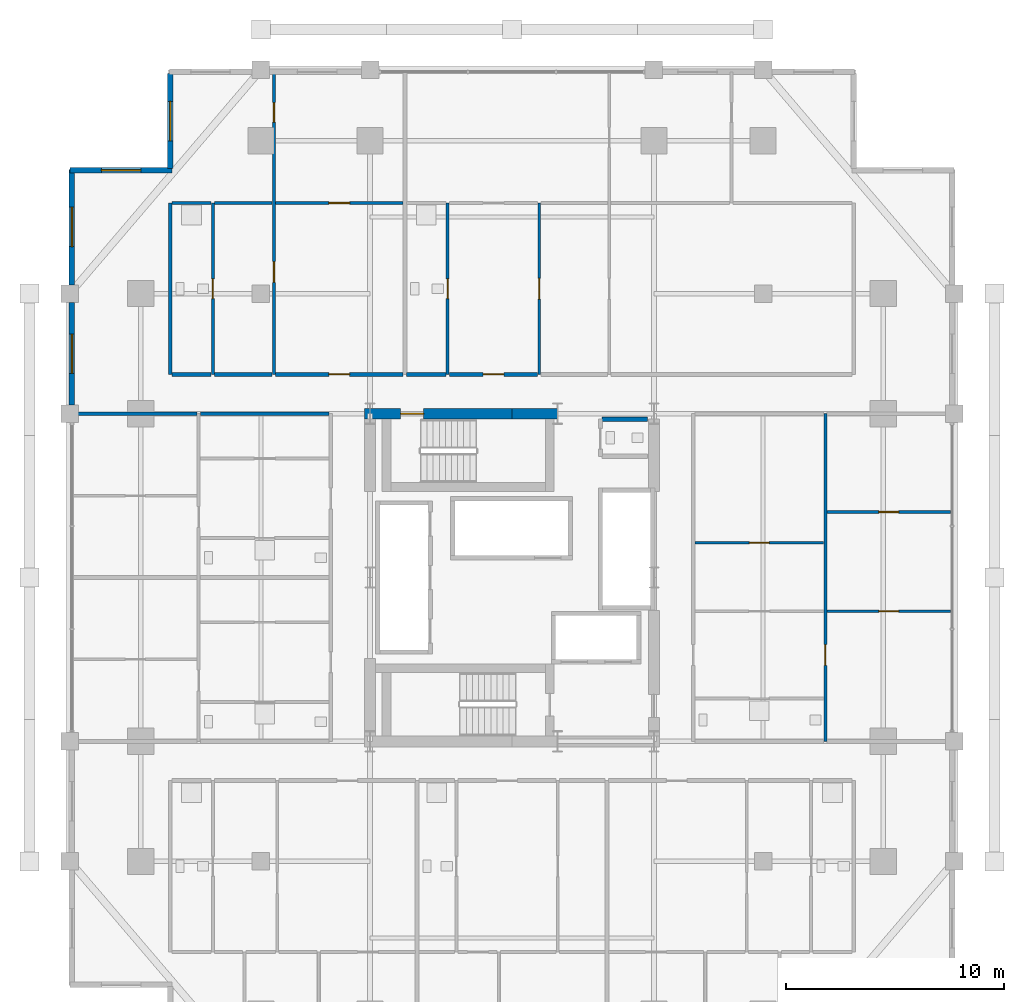
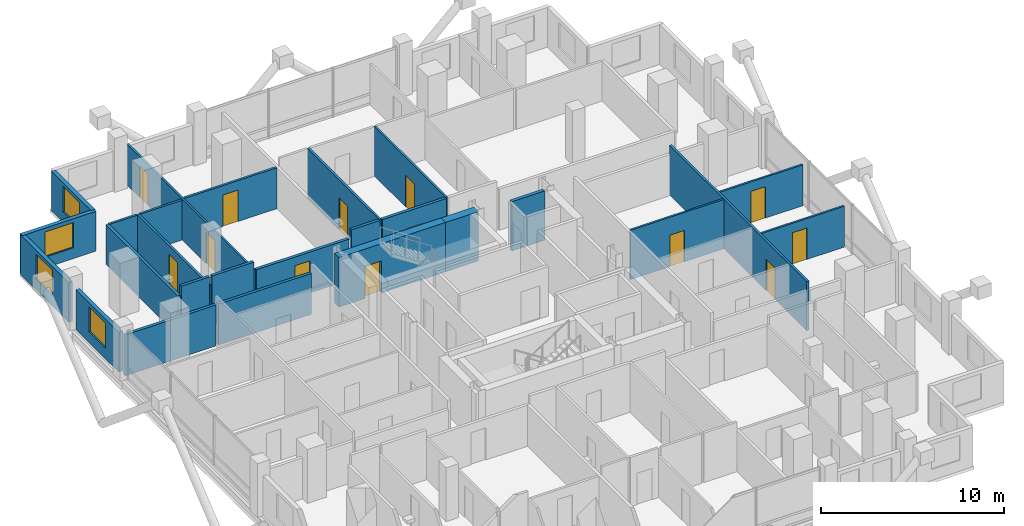
# One storey, part 20 of 23: 26 walls, 13 doors, 4 windows, 17 openings.
"""IFC4 building model written with IfcOpenShell, lengths in metres."""

import ifcopenshell
import ifcopenshell.guid

model = None  # the IFC model being written
_history = None  # IfcOwnerHistory: only IFC2X3 demands one
_inside = {}  # id of a spatial element -> (the spatial element, [elements in it])
_under = {}  # id of a project, library or spatial element -> (it, [spatial elements below it])
_declared = {}  # id of a project -> (the project, [libraries it declares])
_typed = {}  # id of a type object -> (the type object, [elements of that type])
_made_of = {}  # id of a material, layer set ... -> (it, [elements and type objects made of it])


def new_model(schema):
    """Start an empty IFC model of exactly this schema.

    Asked for "IFC4X3", IfcOpenShell would pick the latest addendum, in which some entities
    have other attributes; the version numbers below select the first issue.
    IFC2X3 requires an IfcOwnerHistory on every rooted entity: one is made here for all.
    """
    global model, _history
    if schema == "IFC4X3":
        model = ifcopenshell.file(schema_version=(4, 3, 0, 0))
    else:
        model = ifcopenshell.file(schema=schema)
    _inside.clear()
    _under.clear()
    _declared.clear()
    _typed.clear()
    _made_of.clear()
    _history = None
    if model.schema == "IFC2X3":
        org = make("IfcOrganization", Name="unknown")
        user = make(
            "IfcPersonAndOrganization",
            ThePerson=make("IfcPerson", FamilyName="unknown"),
            TheOrganization=org,
        )
        app = make(
            "IfcApplication",
            ApplicationDeveloper=org,
            Version="unknown",
            ApplicationFullName="unknown",
            ApplicationIdentifier="unknown",
        )
        _history = make(
            "IfcOwnerHistory",
            OwningUser=user,
            OwningApplication=app,
            ChangeAction="ADDED",
            CreationDate=0,
        )
    return model


def make(cls, **values):
    """One entity of the class cls with the attributes given. An attribute that is None is left unset."""
    return model.create_entity(
        cls, **{name: value for name, value in values.items() if value is not None}
    )


def rooted(cls, **values):
    """An entity with a GlobalId (a new one), such as an element, a storey or a relation."""
    return make(cls, GlobalId=ifcopenshell.guid.new(), OwnerHistory=_history, **values)


def si_unit(unit_type, name, prefix=None):
    """IfcSIUnit, for example si_unit("LENGTHUNIT", "METRE", prefix="MILLI")."""
    return make("IfcSIUnit", UnitType=unit_type, Prefix=prefix, Name=name)


def assignment(units):
    """IfcUnitAssignment: the units of a project."""
    return None if units is None else make("IfcUnitAssignment", Units=units)


def point(xyz):
    """IfcCartesianPoint."""
    return None if xyz is None else make("IfcCartesianPoint", Coordinates=xyz)


def direction(xyz):
    """IfcDirection."""
    return None if xyz is None else make("IfcDirection", DirectionRatios=xyz)


def frame(location, z_axis=None, x_axis=None):
    """IfcAxis2Placement3D, a coordinate frame: its origin and axes. An axis left out is left unset."""
    return make(
        "IfcAxis2Placement3D",
        Location=point(location),
        Axis=direction(z_axis),
        RefDirection=direction(x_axis),
    )


def frame_2d(location, x_axis=None):
    """IfcAxis2Placement2D, a coordinate frame in the plane: its origin and x axis."""
    return make(
        "IfcAxis2Placement2D", Location=point(location), RefDirection=direction(x_axis)
    )


def origin():
    """The frame at (0, 0, 0) with its axes left unset."""
    return frame((0.0, 0.0, 0.0))


def place(relative_to, where):
    """IfcLocalPlacement: puts the frame where relative to a parent placement (None: the world)."""
    return make(
        "IfcLocalPlacement", PlacementRelTo=relative_to, RelativePlacement=where
    )


def context(
    kind, dimensions, precision=None, world=None, true_north=None, identifier=None
):
    """IfcGeometricRepresentationContext, for example the 3D "Model" context."""
    return make(
        "IfcGeometricRepresentationContext",
        ContextIdentifier=identifier,
        ContextType=kind,
        CoordinateSpaceDimension=dimensions,
        Precision=precision,
        WorldCoordinateSystem=world,
        TrueNorth=true_north,
    )


def subcontext(parent, identifier, kind, view, scale=None):
    """IfcGeometricRepresentationSubContext, for example "Body" below "Model"."""
    return make(
        "IfcGeometricRepresentationSubContext",
        ContextIdentifier=identifier,
        ContextType=kind,
        ParentContext=parent,
        TargetScale=scale,
        TargetView=view,
    )


def project(units=None, contexts=None):
    """IfcProject with its units and contexts."""
    return rooted(
        "IfcProject",
        Name="project",
        RepresentationContexts=contexts,
        UnitsInContext=assignment(units),
    )


def spatial(cls, under=None, at=None, **own):
    """A site, building, storey or space (cls), placed at a placement, below another one or the project."""
    s = rooted(cls, ObjectPlacement=at, **own)
    if under is not None:
        _under.setdefault(under.id(), (under, []))[1].append(s)
    return s


def profile(cls, at=None, kind="AREA", **sizes):
    """A parametric profile (cls). Its sizes go by their IFC names, for example OverallWidth=200.0."""
    return make(cls, ProfileType=kind, Position=at, **sizes)


def rectangle(**sizes):
    """IfcRectangleProfileDef."""
    return profile("IfcRectangleProfileDef", **sizes)


def extrude(swept, where, along, depth):
    """IfcExtrudedAreaSolid: the profile swept, set in the frame where, extruded along a direction by depth."""
    return make(
        "IfcExtrudedAreaSolid",
        SweptArea=swept,
        Position=where,
        ExtrudedDirection=direction(along),
        Depth=depth,
    )


def shape(context_of_items, identifier, shape_type, items):
    """IfcShapeRepresentation: the items that make up one representation, for example the "Body"."""
    return make(
        "IfcShapeRepresentation",
        ContextOfItems=context_of_items,
        RepresentationIdentifier=identifier,
        RepresentationType=shape_type,
        Items=items,
    )


def material(Name=None, Category=None):
    """IfcMaterial."""
    return make("IfcMaterial", Name=Name, Category=Category)


def layer(
    of_material, thickness, ventilated=None, Name=None, Category=None, Priority=None
):
    """IfcMaterialLayer: one layer of a wall or slab, of a material (None: an air gap)."""
    return make(
        "IfcMaterialLayer",
        Material=of_material,
        LayerThickness=thickness,
        IsVentilated=ventilated,
        Name=Name,
        Category=Category,
        Priority=Priority,
    )


def layer_set(layers, Name=None):
    """IfcMaterialLayerSet."""
    return make("IfcMaterialLayerSet", MaterialLayers=layers, LayerSetName=Name)


def made_of(thing, what):
    """Note that an element or type object is made of a material, layer set ...; save() writes the relation."""
    if what is not None:
        _made_of.setdefault(what.id(), (what, []))[1].append(thing)
    return thing


def type_object(cls, material=None, **own):
    """A type object (cls), such as IfcWallType, which elements share."""
    return made_of(rooted(cls, **own), material)


def element(
    cls,
    number,
    at=None,
    inside=None,
    cuts=None,
    type_object=None,
    material=None,
    context=None,
    identifier="Body",
    shape_type=None,
    held_by="IfcProductDefinitionShape",
    body=None,
    shapes=None,
    **own,
):
    """One element of the class cls, such as IfcWall. Its Tag is "e" and its number.

    at: its placement. inside: the storey or other place that contains it. cuts: it is an
    opening in that element (IfcRelVoidsElement). A single representation is given by context,
    identifier, shape_type and body (its items); several are given by shapes. held_by: the class
    of the entity that holds the representations. save() writes the other relations.
    """
    e = rooted(cls, Tag="e%d" % number, ObjectPlacement=at, **own)
    if body is not None:
        shapes = [shape(context, identifier, shape_type, body)]
    if shapes is not None:
        e.Representation = make(held_by, Representations=shapes)
    if inside is not None:
        _inside.setdefault(inside.id(), (inside, []))[1].append(e)
    if cuts is not None:
        rooted(
            "IfcRelVoidsElement", RelatingBuildingElement=cuts, RelatedOpeningElement=e
        )
    if type_object is not None:
        _typed.setdefault(type_object.id(), (type_object, []))[1].append(e)
    return made_of(e, material)


def fill(opening, filler):
    """IfcRelFillsElement: the door or window that sits in an opening."""
    return rooted(
        "IfcRelFillsElement",
        RelatingOpeningElement=opening,
        RelatedBuildingElement=filler,
    )


def aggregate(whole, parts):
    """IfcRelAggregates: a whole, such as a stair, and the parts it consists of."""
    return rooted("IfcRelAggregates", RelatingObject=whole, RelatedObjects=parts)


def save(model, path):
    """Write the relations noted so far, then the file.

    IfcRelAggregates (storeys below a building ...), IfcRelContainedInSpatialStructure (elements
    in a storey), IfcRelDefinesByType, IfcRelAssociatesMaterial and IfcRelDeclares: one each for
    every whole, place, type object, material and project.
    """
    for whole, parts in _under.values():
        aggregate(whole, parts)
    for where, things in _inside.values():
        rooted(
            "IfcRelContainedInSpatialStructure",
            RelatedElements=things,
            RelatingStructure=where,
        )
    for kind, things in _typed.values():
        rooted("IfcRelDefinesByType", RelatedObjects=things, RelatingType=kind)
    for what, things in _made_of.values():
        rooted("IfcRelAssociatesMaterial", RelatedObjects=things, RelatingMaterial=what)
    for by, libraries in _declared.values():
        rooted("IfcRelDeclares", RelatingContext=by, RelatedDefinitions=libraries)
    model.write(path)


model = new_model("IFC4")

# Units and contexts
model_context = context("Model", 3, precision=1e-05, world=origin(), true_north=direction((0.0, 1.0)))
body_context = subcontext(model_context, "Body", "Model", "MODEL_VIEW")
ifc_project = project(units=[si_unit("LENGTHUNIT", "METRE"), si_unit("AREAUNIT", "SQUARE_METRE"), si_unit("VOLUMEUNIT", "CUBIC_METRE"), si_unit("PLANEANGLEUNIT", "RADIAN"), si_unit("MASSUNIT", "GRAM", prefix="KILO")], contexts=[model_context])

# Site, building, storey
site_placement = place(None, origin())
site = spatial("IfcSite", under=ifc_project, at=site_placement, CompositionType="ELEMENT")
building_placement = place(site_placement, origin())
building = spatial("IfcBuilding", under=site, at=building_placement, Name="Barlavira Tower and Art Museum", CompositionType="ELEMENT")
storey_placement = place(building_placement, frame((0.0, 0.0, 117.0)))
storey = spatial("IfcBuildingStorey", under=building, at=storey_placement, Name="L29", CompositionType="ELEMENT", Elevation=117.0)

# Wall, openings, doors
ifc_material_1 = material(Name="Gypsum acoustic stud partition", Category="gypsum")
ifc_layer_1 = layer(ifc_material_1, 0.1201171875, Name="Gypsum acoustic stud partition")
ifc_layer_set_1 = layer_set([ifc_layer_1], Name="Gypsum acoustic stud partition")
wall_type_1 = type_object("IfcWallType", Name="Apartment Internal Acoustic Partition 120", PredefinedType="PARTITIONING", material=ifc_layer_set_1)
wall_1_placement = place(storey_placement, frame((-10.89990234375, 9.300048828125, 0.0), z_axis=(0.0, 0.0, 1.0), x_axis=(0.0, 1.0, 0.0)))
wall_1 = element("IfcWall", 1, at=wall_1_placement, inside=storey, type_object=wall_type_1, Name="L29 Partition Wall 7", PredefinedType="PARTITIONING", context=body_context, shape_type="SweptSolid", body=[
    extrude(rectangle(XDim=13.849853515625, YDim=0.1201171875, at=frame_2d((6.9248046875, 0.0))), origin(), (0.0, 0.0, 1.0), 2.736083984375),
])
opening_1_placement = place(wall_1_placement, frame((4.218505859375, 0.0, 0.0)))
opening_1 = element("IfcOpeningElement", 2, at=opening_1_placement, cuts=wall_1, Name="Opening D-02", PredefinedType="OPENING", context=body_context, shape_type="SweptSolid", body=[
    extrude(rectangle(XDim=0.949951171875, YDim=2.10009765625, at=frame_2d((0.47509765625, 1.050048828125))), frame((0.0, 0.070068359375, 0.0), z_axis=(0.0, -1.0, 0.0), x_axis=(1.0, 0.0, 0.0)), (0.0, 0.0, 1.0), 0.14013671875),
])
opening_2_placement = place(wall_1_placement, frame((11.551025390625, 0.0, 0.0)))
opening_2 = element("IfcOpeningElement", 3, at=opening_2_placement, cuts=wall_1, Name="Opening D-01", PredefinedType="OPENING", context=body_context, shape_type="SweptSolid", body=[
    extrude(rectangle(XDim=0.89990234375, YDim=2.10009765625, at=frame_2d((0.449951171875, 1.050048828125))), frame((0.0, 0.070068359375, 0.0), z_axis=(0.0, -1.0, 0.0), x_axis=(1.0, 0.0, 0.0)), (0.0, 0.0, 1.0), 0.14013671875),
])
ifc_material_2 = material(Name="Engineered coastal hardwood", Category="wood")
door_type_1 = type_object("IfcDoorType", Name="Internal Bedroom Timber Flush Door 900x2100", OperationType="NOTDEFINED", PredefinedType="DOOR", material=ifc_material_2)
door_1_placement = place(opening_2_placement, origin())
door_1 = element("IfcDoor", 4, at=door_1_placement, inside=storey, type_object=door_type_1, Name="Apartment N1 Bedroom 1 Door", OperationType="SINGLE_SWING_RIGHT", OverallHeight=2.10009765625, OverallWidth=0.89990234375, PredefinedType="DOOR", context=body_context, shape_type="SweptSolid", body=[
    extrude(rectangle(XDim=0.89990234375, YDim=2.10009765625, at=frame_2d((0.449951171875, 1.050048828125))), frame((0.0, 0.02490234375, 0.0), z_axis=(0.0, -1.0, 0.0), x_axis=(1.0, 0.0, 0.0)), (0.0, 0.0, 1.0), 0.050048828125),
])
fill(opening_2, door_1)
door_type_2 = type_object("IfcDoorType", Name="Living and Salon Glazed-Leaf Door 950x2100", OperationType="NOTDEFINED", PredefinedType="DOOR", material=ifc_material_2)
door_2_placement = place(opening_1_placement, origin())
door_2 = element("IfcDoor", 5, at=door_2_placement, inside=storey, type_object=door_type_2, Name="Apartment N1 Kitchen Door", OperationType="SINGLE_SWING_LEFT", OverallHeight=2.10009765625, OverallWidth=0.949951171875, PredefinedType="DOOR", context=body_context, shape_type="SweptSolid", body=[
    extrude(rectangle(XDim=0.949951171875, YDim=2.10009765625, at=frame_2d((0.47509765625, 1.050048828125))), frame((0.0, 0.02490234375, 0.0), z_axis=(0.0, -1.0, 0.0), x_axis=(1.0, 0.0, 0.0)), (0.0, 0.0, 1.0), 0.050048828125),
])
fill(opening_1, door_2)

# Wall, opening, door
wall_2_placement = place(storey_placement, frame((1.25, 9.300048828125, 0.0), z_axis=(0.0, 0.0, 1.0), x_axis=(0.0, 1.0, 0.0)))
wall_2 = element("IfcWall", 6, at=wall_2_placement, inside=storey, type_object=wall_type_1, Name="L29 Partition Wall 16", PredefinedType="PARTITIONING", context=body_context, shape_type="SweptSolid", body=[
    extrude(rectangle(XDim=7.849853515625, YDim=0.1201171875, at=frame_2d((3.9248046875, 0.0))), origin(), (0.0, 0.0, 1.0), 3.300048828125),
])
opening_3_placement = place(wall_2_placement, frame((3.445068359375, 0.0, 0.0)))
opening_3 = element("IfcOpeningElement", 7, at=opening_3_placement, cuts=wall_2, Name="Opening D-02", PredefinedType="OPENING", context=body_context, shape_type="SweptSolid", body=[
    extrude(rectangle(XDim=0.949951171875, YDim=2.10009765625, at=frame_2d((0.47509765625, 1.050048828125))), frame((0.0, 0.070068359375, 0.0), z_axis=(0.0, -1.0, 0.0), x_axis=(1.0, 0.0, 0.0)), (0.0, 0.0, 1.0), 0.14013671875),
])
door_3_placement = place(opening_3_placement, origin())
door_3 = element("IfcDoor", 8, at=door_3_placement, inside=storey, type_object=door_type_2, Name="Apartment N2 Kitchen Door", OperationType="SINGLE_SWING_LEFT", OverallHeight=2.10009765625, OverallWidth=0.949951171875, PredefinedType="DOOR", context=body_context, shape_type="SweptSolid", body=[
    extrude(rectangle(XDim=0.949951171875, YDim=2.10009765625, at=frame_2d((0.47509765625, 1.050048828125))), frame((0.0, 0.02490234375, 0.0), z_axis=(0.0, -1.0, 0.0), x_axis=(1.0, 0.0, 0.0)), (0.0, 0.0, 1.0), 0.050048828125),
])
fill(opening_3, door_3)

wall_3_placement = place(storey_placement, frame((14.429931640625, -1.550048828125, 0.0), z_axis=(0.0, 0.0, 1.0), x_axis=(1.0, 0.0, 0.0)))
wall_3 = element("IfcWall", 9, at=wall_3_placement, inside=storey, type_object=wall_type_1, Name="L29 Partition Wall 62", PredefinedType="PARTITIONING", context=body_context, shape_type="SweptSolid", body=[
    extrude(rectangle(XDim=5.64013671875, YDim=0.1201171875, at=frame_2d((2.820068359375, 0.0))), origin(), (0.0, 0.0, 1.0), 2.736083984375),
])
opening_4_placement = place(wall_3_placement, frame((2.3701171875, 0.0, 0.0)))
opening_4 = element("IfcOpeningElement", 10, at=opening_4_placement, cuts=wall_3, Name="Opening D-01", PredefinedType="OPENING", context=body_context, shape_type="SweptSolid", body=[
    extrude(rectangle(XDim=0.89990234375, YDim=2.10009765625, at=frame_2d((0.449951171875, 1.050048828125))), frame((0.0, 0.070068359375, 0.0), z_axis=(0.0, -1.0, 0.0), x_axis=(1.0, 0.0, 0.0)), (0.0, 0.0, 1.0), 0.14013671875),
])
door_4_placement = place(opening_4_placement, origin())
door_4 = element("IfcDoor", 11, at=door_4_placement, inside=storey, type_object=door_type_1, Name="Apartment E1 Bedroom 1 Door", OperationType="SINGLE_SWING_LEFT", OverallHeight=2.10009765625, OverallWidth=0.89990234375, PredefinedType="DOOR", context=body_context, shape_type="SweptSolid", body=[
    extrude(rectangle(XDim=0.89990234375, YDim=2.10009765625, at=frame_2d((0.449951171875, 1.050048828125))), frame((0.0, 0.02490234375, 0.0), z_axis=(0.0, -1.0, 0.0), x_axis=(1.0, 0.0, 0.0)), (0.0, 0.0, 1.0), 0.050048828125),
])
fill(opening_4, door_4)

wall_4_placement = place(storey_placement, frame((8.3798828125, 1.60009765625, 0.0), z_axis=(0.0, 0.0, 1.0), x_axis=(1.0, 0.0, 0.0)))
wall_4 = element("IfcWall", 12, at=wall_4_placement, inside=storey, type_object=wall_type_1, Name="L29 Partition Wall 65", PredefinedType="PARTITIONING", context=body_context, shape_type="SweptSolid", body=[
    extrude(rectangle(XDim=5.89013671875, YDim=0.1201171875, at=frame_2d((2.945068359375, 0.0))), origin(), (0.0, 0.0, 1.0), 3.300048828125),
])
opening_5_placement = place(wall_4_placement, frame((2.489990234375, 0.0, 0.0)))
opening_5 = element("IfcOpeningElement", 13, at=opening_5_placement, cuts=wall_4, Name="Opening D-01", PredefinedType="OPENING", context=body_context, shape_type="SweptSolid", body=[
    extrude(rectangle(XDim=0.89990234375, YDim=2.10009765625, at=frame_2d((0.449951171875, 1.050048828125))), frame((0.0, 0.070068359375, 0.0), z_axis=(0.0, -1.0, 0.0), x_axis=(1.0, 0.0, 0.0)), (0.0, 0.0, 1.0), 0.14013671875),
])
door_5_placement = place(opening_5_placement, origin())
door_5 = element("IfcDoor", 14, at=door_5_placement, inside=storey, type_object=door_type_1, Name="Apartment E1 Walk-In Dressing Room Door", OperationType="SINGLE_SWING_LEFT", OverallHeight=2.10009765625, OverallWidth=0.89990234375, PredefinedType="DOOR", context=body_context, shape_type="SweptSolid", body=[
    extrude(rectangle(XDim=0.89990234375, YDim=2.10009765625, at=frame_2d((0.449951171875, 1.050048828125))), frame((0.0, 0.02490234375, 0.0), z_axis=(0.0, -1.0, 0.0), x_axis=(1.0, 0.0, 0.0)), (0.0, 0.0, 1.0), 0.050048828125),
])
fill(opening_5, door_5)

wall_5_placement = place(storey_placement, frame((14.429931640625, 3.0, 0.0), z_axis=(0.0, 0.0, 1.0), x_axis=(1.0, 0.0, 0.0)))
wall_5 = element("IfcWall", 15, at=wall_5_placement, inside=storey, type_object=wall_type_1, Name="L29 Partition Wall 67", PredefinedType="PARTITIONING", context=body_context, shape_type="SweptSolid", body=[
    extrude(rectangle(XDim=5.64013671875, YDim=0.1201171875, at=frame_2d((2.820068359375, 0.0))), origin(), (0.0, 0.0, 1.0), 2.736083984375),
])
opening_6_placement = place(wall_5_placement, frame((2.3701171875, 0.0, 0.0)))
opening_6 = element("IfcOpeningElement", 16, at=opening_6_placement, cuts=wall_5, Name="Opening D-01", PredefinedType="OPENING", context=body_context, shape_type="SweptSolid", body=[
    extrude(rectangle(XDim=0.89990234375, YDim=2.10009765625, at=frame_2d((0.449951171875, 1.050048828125))), frame((0.0, 0.070068359375, 0.0), z_axis=(0.0, -1.0, 0.0), x_axis=(1.0, 0.0, 0.0)), (0.0, 0.0, 1.0), 0.14013671875),
])
door_6_placement = place(opening_6_placement, origin())
door_6 = element("IfcDoor", 17, at=door_6_placement, inside=storey, type_object=door_type_1, Name="Apartment E1 Bedroom 2 Door", OperationType="SINGLE_SWING_RIGHT", OverallHeight=2.10009765625, OverallWidth=0.89990234375, PredefinedType="DOOR", context=body_context, shape_type="SweptSolid", body=[
    extrude(rectangle(XDim=0.89990234375, YDim=2.10009765625, at=frame_2d((0.449951171875, 1.050048828125))), frame((0.0, 0.02490234375, 0.0), z_axis=(0.0, -1.0, 0.0), x_axis=(1.0, 0.0, 0.0)), (0.0, 0.0, 1.0), 0.050048828125),
])
fill(opening_6, door_6)

ifc_material_3 = material(Name="Concrete C60", Category="concrete")
ifc_layer_2 = layer(ifc_material_3, 0.5, Name="Concrete C60")
ifc_layer_set_2 = layer_set([ifc_layer_2], Name="Concrete C60")
wall_type_2 = type_object("IfcWallType", Name="Core Structural Shear Wall 500 Concrete C60", PredefinedType="SHEAR", material=ifc_layer_set_2)
wall_6_placement = place(storey_placement, frame((-6.75, 7.5, 0.0), z_axis=(0.0, 0.0, 1.0), x_axis=(1.0, 0.0, 0.0)))
wall_6 = element("IfcWall", 18, at=wall_6_placement, inside=storey, type_object=wall_type_2, Name="L29 Core Shear Wall CS-NW", PredefinedType="SHEAR", context=body_context, shape_type="SweptSolid", body=[
    extrude(rectangle(XDim=6.75, YDim=0.5, at=frame_2d((3.375, 0.0))), origin(), (0.0, 0.0, 1.0), 3.300048828125),
])
opening_7_placement = place(wall_6_placement, frame((1.64990234375, 0.0, 0.0)))
opening_7 = element("IfcOpeningElement", 19, at=opening_7_placement, cuts=wall_6, Name="Opening FD-90", PredefinedType="OPENING", context=body_context, shape_type="SweptSolid", body=[
    extrude(rectangle(XDim=1.050048828125, YDim=2.14990234375, at=frame_2d((0.52490234375, 1.074951171875))), frame((0.0, 0.260009765625, 0.0), z_axis=(0.0, -1.0, 0.0), x_axis=(1.0, 0.0, 0.0)), (0.0, 0.0, 1.0), 0.52001953125),
])
ifc_material_4 = material(Name="Brushed stainless steel", Category="steel")
door_type_3 = type_object("IfcDoorType", Name="Stair and Refuge Fire Door 1050x2150 FD90S", OperationType="NOTDEFINED", PredefinedType="DOOR", material=ifc_material_4)
door_7_placement = place(opening_7_placement, origin())
door_7 = element("IfcDoor", 20, at=door_7_placement, inside=storey, type_object=door_type_3, Name="L29 Stair ST-T2 Fire Door", OperationType="SINGLE_SWING_LEFT", OverallHeight=2.14990234375, OverallWidth=1.050048828125, PredefinedType="DOOR", context=body_context, shape_type="SweptSolid", body=[
    extrude(rectangle(XDim=1.050048828125, YDim=2.14990234375, at=frame_2d((0.52490234375, 1.074951171875))), frame((0.0, 0.02490234375, 0.0), z_axis=(0.0, -1.0, 0.0), x_axis=(1.0, 0.0, 0.0)), (0.0, 0.0, 1.0), 0.050048828125),
])
fill(opening_7, door_7)

# Walls
wall_7_placement = place(storey_placement, frame((0.0, 7.5, 0.0), z_axis=(0.0, 0.0, 1.0), x_axis=(1.0, 0.0, 0.0)))
element("IfcWall", 21, at=wall_7_placement, inside=storey, type_object=wall_type_2, Name="L29 Core Shear Wall CS-EN", PredefinedType="SHEAR", context=body_context, shape_type="SweptSolid", body=[
    extrude(rectangle(XDim=2.080078125, YDim=0.5, at=frame_2d((1.0400390625, 0.0))), origin(), (0.0, 0.0, 1.0), 3.300048828125),
])
ifc_material_5 = material(Name="Autoclaved aerated concrete masonry", Category="masonry")
ifc_layer_3 = layer(ifc_material_5, 0.199951171875, Name="Autoclaved aerated concrete masonry")
ifc_layer_set_3 = layer_set([ifc_layer_3], Name="Autoclaved aerated concrete masonry")
wall_type_3 = type_object("IfcWallType", Name="Fire Compartment and Shaft Wall 200", PredefinedType="SOLIDWALL", material=ifc_layer_set_3)
wall_8_placement = place(storey_placement, frame((4.1298828125, 7.25, 0.0), z_axis=(0.0, 0.0, 1.0), x_axis=(1.0, 0.0, 0.0)))
element("IfcWall", 22, at=wall_8_placement, inside=storey, type_object=wall_type_3, Name="L29 Partition Wall 71", PredefinedType="SOLIDWALL", context=body_context, shape_type="SweptSolid", body=[
    extrude(rectangle(XDim=2.070068359375, YDim=0.199951171875, at=frame_2d((1.03515625, 0.0))), origin(), (0.0, 0.0, 1.0), 3.300048828125),
])
ifc_layer_4 = layer(ifc_material_1, 0.179931640625, Name="Gypsum acoustic stud partition")
ifc_layer_set_4 = layer_set([ifc_layer_4], Name="Gypsum acoustic stud partition")
wall_type_4 = type_object("IfcWallType", Name="Inter-Tenancy Party Partition Wall 180", PredefinedType="PARTITIONING", material=ifc_layer_set_4)
wall_9_placement = place(storey_placement, frame((-15.64990234375, 9.300048828125, 0.0), z_axis=(0.0, 0.0, 1.0), x_axis=(0.0, 1.0, 0.0)))
element("IfcWall", 23, at=wall_9_placement, inside=storey, type_object=wall_type_4, Name="L29 Partition Wall 2", PredefinedType="PARTITIONING", context=body_context, shape_type="SweptSolid", body=[
    extrude(rectangle(XDim=7.849853515625, YDim=0.179931640625, at=frame_2d((3.9248046875, 0.0))), origin(), (0.0, 0.0, 1.0), 2.656005859375),
])
wall_10_placement = place(storey_placement, frame((-20.14990234375, 7.5, 0.0), z_axis=(0.0, 0.0, 1.0), x_axis=(1.0, 0.0, 0.0)))
element("IfcWall", 24, at=wall_10_placement, inside=storey, type_object=wall_type_4, Name="L29 Partition Wall 72", PredefinedType="PARTITIONING", context=body_context, shape_type="SweptSolid", body=[
    extrude(rectangle(XDim=5.719970703125, YDim=0.179931640625, at=frame_2d((2.85986328125, 0.0))), origin(), (0.0, 0.0, 1.0), 2.736083984375),
])
wall_11_placement = place(storey_placement, frame((-14.27001953125, 7.5, 0.0), z_axis=(0.0, 0.0, 1.0), x_axis=(1.0, 0.0, 0.0)))
element("IfcWall", 25, at=wall_11_placement, inside=storey, type_object=wall_type_4, Name="L29 Partition Wall 73", PredefinedType="PARTITIONING", context=body_context, shape_type="SweptSolid", body=[
    extrude(rectangle(XDim=5.89013671875, YDim=0.179931640625, at=frame_2d((2.945068359375, 0.0))), origin(), (0.0, 0.0, 1.0), 2.736083984375),
])
wall_12_placement = place(storey_placement, frame((-15.570068359375, 9.300048828125, 0.0), z_axis=(0.0, 0.0, 1.0), x_axis=(1.0, 0.0, 0.0)))
element("IfcWall", 26, at=wall_12_placement, inside=storey, type_object=wall_type_4, Name="L29 Partition Wall 76", PredefinedType="PARTITIONING", context=body_context, shape_type="SweptSolid", body=[
    extrude(rectangle(XDim=1.7900390625, YDim=0.179931640625, at=frame_2d((0.89501953125, 0.0))), origin(), (0.0, 0.0, 1.0), 3.300048828125),
])
wall_13_placement = place(storey_placement, frame((-13.6201171875, 9.300048828125, 0.0), z_axis=(0.0, 0.0, 1.0), x_axis=(1.0, 0.0, 0.0)))
element("IfcWall", 27, at=wall_13_placement, inside=storey, type_object=wall_type_4, Name="L29 Partition Wall 77", PredefinedType="PARTITIONING", context=body_context, shape_type="SweptSolid", body=[
    extrude(rectangle(XDim=2.64013671875, YDim=0.179931640625, at=frame_2d((1.320068359375, 0.0))), origin(), (0.0, 0.0, 1.0), 3.300048828125),
])

# Wall, opening, door
wall_14_placement = place(storey_placement, frame((-10.820068359375, 9.300048828125, 0.0), z_axis=(0.0, 0.0, 1.0), x_axis=(1.0, 0.0, 0.0)))
wall_14 = element("IfcWall", 28, at=wall_14_placement, inside=storey, type_object=wall_type_4, Name="L29 Partition Wall 78", PredefinedType="PARTITIONING", context=body_context, shape_type="SweptSolid", body=[
    extrude(rectangle(XDim=5.840087890625, YDim=0.179931640625, at=frame_2d((2.919921875, 0.0))), origin(), (0.0, 0.0, 1.0), 2.736083984375),
])
opening_8_placement = place(wall_14_placement, frame((2.43505859375, 0.0, 0.0)))
opening_8 = element("IfcOpeningElement", 29, at=opening_8_placement, cuts=wall_14, Name="Opening FD-60", PredefinedType="OPENING", context=body_context, shape_type="SweptSolid", body=[
    extrude(rectangle(XDim=0.949951171875, YDim=2.14990234375, at=frame_2d((0.47509765625, 1.074951171875))), frame((0.0, 0.10009765625, 0.0), z_axis=(0.0, -1.0, 0.0), x_axis=(1.0, 0.0, 0.0)), (0.0, 0.0, 1.0), 0.199951171875),
])
door_type_4 = type_object("IfcDoorType", Name="Apartment Entrance and Riser Fire Door 950x2150 FD60S", OperationType="NOTDEFINED", PredefinedType="DOOR", material=ifc_material_4)
door_8_placement = place(opening_8_placement, origin())
door_8 = element("IfcDoor", 30, at=door_8_placement, inside=storey, type_object=door_type_4, Name="Apartment Entrance Hall N1 Door", OperationType="SINGLE_SWING_RIGHT", OverallHeight=2.14990234375, OverallWidth=0.949951171875, PredefinedType="DOOR", context=body_context, shape_type="SweptSolid", body=[
    extrude(rectangle(XDim=0.949951171875, YDim=2.14990234375, at=frame_2d((0.47509765625, 1.074951171875))), frame((0.0, 0.02490234375, 0.0), z_axis=(0.0, -1.0, 0.0), x_axis=(1.0, 0.0, 0.0)), (0.0, 0.0, 1.0), 0.050048828125),
])
fill(opening_8, door_8)

# Wall
wall_15_placement = place(storey_placement, frame((-4.820068359375, 9.300048828125, 0.0), z_axis=(0.0, 0.0, 1.0), x_axis=(1.0, 0.0, 0.0)))
element("IfcWall", 31, at=wall_15_placement, inside=storey, type_object=wall_type_4, Name="L29 Partition Wall 79", PredefinedType="PARTITIONING", context=body_context, shape_type="SweptSolid", body=[
    extrude(rectangle(XDim=1.7900390625, YDim=0.179931640625, at=frame_2d((0.89501953125, 0.0))), origin(), (0.0, 0.0, 1.0), 3.300048828125),
])

# Wall, opening, door
wall_16_placement = place(storey_placement, frame((-2.8701171875, 9.300048828125, 0.0), z_axis=(0.0, 0.0, 1.0), x_axis=(1.0, 0.0, 0.0)))
wall_16 = element("IfcWall", 32, at=wall_16_placement, inside=storey, type_object=wall_type_4, Name="L29 Partition Wall 80", PredefinedType="PARTITIONING", context=body_context, shape_type="SweptSolid", body=[
    extrude(rectangle(XDim=4.0400390625, YDim=0.179931640625, at=frame_2d((2.02001953125, 0.0))), origin(), (0.0, 0.0, 1.0), 3.300048828125),
])
opening_9_placement = place(wall_16_placement, frame((1.544921875, 0.0, 0.0)))
opening_9 = element("IfcOpeningElement", 33, at=opening_9_placement, cuts=wall_16, Name="Opening FD-60", PredefinedType="OPENING", context=body_context, shape_type="SweptSolid", body=[
    extrude(rectangle(XDim=0.949951171875, YDim=2.14990234375, at=frame_2d((0.47509765625, 1.074951171875))), frame((0.0, 0.10009765625, 0.0), z_axis=(0.0, -1.0, 0.0), x_axis=(1.0, 0.0, 0.0)), (0.0, 0.0, 1.0), 0.199951171875),
])
door_9_placement = place(opening_9_placement, origin())
door_9 = element("IfcDoor", 34, at=door_9_placement, inside=storey, type_object=door_type_4, Name="Apartment Entrance Hall N2 Door", OperationType="SINGLE_SWING_RIGHT", OverallHeight=2.14990234375, OverallWidth=0.949951171875, PredefinedType="DOOR", context=body_context, shape_type="SweptSolid", body=[
    extrude(rectangle(XDim=0.949951171875, YDim=2.14990234375, at=frame_2d((0.47509765625, 1.074951171875))), frame((0.0, 0.02490234375, 0.0), z_axis=(0.0, -1.0, 0.0), x_axis=(1.0, 0.0, 0.0)), (0.0, 0.0, 1.0), 0.050048828125),
])
fill(opening_9, door_9)

ifc_layer_5 = layer(ifc_material_1, 0.139892578125, Name="Gypsum acoustic stud partition")
ifc_layer_set_5 = layer_set([ifc_layer_5], Name="Gypsum acoustic stud partition")
wall_type_5 = type_object("IfcWallType", Name="Moisture-Resistant Bathroom Partition 140", PredefinedType="PARTITIONING", material=ifc_layer_set_5)
wall_17_placement = place(storey_placement, frame((-13.699951171875, 9.300048828125, 0.0), z_axis=(0.0, 0.0, 1.0), x_axis=(0.0, 1.0, 0.0)))
wall_17 = element("IfcWall", 35, at=wall_17_placement, inside=storey, type_object=wall_type_5, Name="L29 Partition Wall 5", PredefinedType="PARTITIONING", context=body_context, shape_type="SweptSolid", body=[
    extrude(rectangle(XDim=7.849853515625, YDim=0.139892578125, at=frame_2d((3.9248046875, 0.0))), origin(), (0.0, 0.0, 1.0), 2.656005859375),
])
opening_10_placement = place(wall_17_placement, frame((3.469970703125, 0.0, 0.0)))
opening_10 = element("IfcOpeningElement", 36, at=opening_10_placement, cuts=wall_17, Name="Opening D-WC", PredefinedType="OPENING", context=body_context, shape_type="SweptSolid", body=[
    extrude(rectangle(XDim=0.89990234375, YDim=2.10009765625, at=frame_2d((0.449951171875, 1.050048828125))), frame((0.0, 0.080078125, 0.0), z_axis=(0.0, -1.0, 0.0), x_axis=(1.0, 0.0, 0.0)), (0.0, 0.0, 1.0), 0.159912109375),
])
door_type_5 = type_object("IfcDoorType", Name="Accessible Bathroom Flush Door 900x2100", OperationType="NOTDEFINED", PredefinedType="DOOR", material=ifc_material_2)
door_10_placement = place(opening_10_placement, origin())
door_10 = element("IfcDoor", 37, at=door_10_placement, inside=storey, type_object=door_type_5, Name="Apartment N1 Hall Bathroom Door", OperationType="SINGLE_SWING_RIGHT", OverallHeight=2.10009765625, OverallWidth=0.89990234375, PredefinedType="DOOR", context=body_context, shape_type="SweptSolid", body=[
    extrude(rectangle(XDim=0.89990234375, YDim=2.10009765625, at=frame_2d((0.449951171875, 1.050048828125))), frame((0.0, 0.02490234375, 0.0), z_axis=(0.0, -1.0, 0.0), x_axis=(1.0, 0.0, 0.0)), (0.0, 0.0, 1.0), 0.050048828125),
])
fill(opening_10, door_10)

wall_18_placement = place(storey_placement, frame((-2.949951171875, 9.300048828125, 0.0), z_axis=(0.0, 0.0, 1.0), x_axis=(0.0, 1.0, 0.0)))
wall_18 = element("IfcWall", 38, at=wall_18_placement, inside=storey, type_object=wall_type_5, Name="L29 Partition Wall 13", PredefinedType="PARTITIONING", context=body_context, shape_type="SweptSolid", body=[
    extrude(rectangle(XDim=7.849853515625, YDim=0.139892578125, at=frame_2d((3.9248046875, 0.0))), origin(), (0.0, 0.0, 1.0), 3.300048828125),
])
opening_11_placement = place(wall_18_placement, frame((3.469970703125, 0.0, 0.0)))
opening_11 = element("IfcOpeningElement", 39, at=opening_11_placement, cuts=wall_18, Name="Opening D-WC", PredefinedType="OPENING", context=body_context, shape_type="SweptSolid", body=[
    extrude(rectangle(XDim=0.89990234375, YDim=2.10009765625, at=frame_2d((0.449951171875, 1.050048828125))), frame((0.0, 0.080078125, 0.0), z_axis=(0.0, -1.0, 0.0), x_axis=(1.0, 0.0, 0.0)), (0.0, 0.0, 1.0), 0.159912109375),
])
door_11_placement = place(opening_11_placement, origin())
door_11 = element("IfcDoor", 40, at=door_11_placement, inside=storey, type_object=door_type_5, Name="Apartment N2 Hall Bathroom Door", OperationType="SINGLE_SWING_LEFT", OverallHeight=2.10009765625, OverallWidth=0.89990234375, PredefinedType="DOOR", context=body_context, shape_type="SweptSolid", body=[
    extrude(rectangle(XDim=0.89990234375, YDim=2.10009765625, at=frame_2d((0.449951171875, 1.050048828125))), frame((0.0, 0.02490234375, 0.0), z_axis=(0.0, -1.0, 0.0), x_axis=(1.0, 0.0, 0.0)), (0.0, 0.0, 1.0), 0.050048828125),
])
fill(opening_11, door_11)

wall_19_placement = place(storey_placement, frame((14.35009765625, -7.5, 0.0), z_axis=(0.0, 0.0, 1.0), x_axis=(0.0, 1.0, 0.0)))
wall_19 = element("IfcWall", 41, at=wall_19_placement, inside=storey, type_object=wall_type_5, Name="L29 Partition Wall 27", PredefinedType="PARTITIONING", context=body_context, shape_type="SweptSolid", body=[
    extrude(rectangle(XDim=15.0, YDim=0.139892578125, at=frame_2d((7.5, 0.0))), origin(), (0.0, 0.0, 1.0), 3.300048828125),
])
opening_12_placement = place(wall_19_placement, frame((3.47509765625, 0.0, 0.0)))
opening_12 = element("IfcOpeningElement", 42, at=opening_12_placement, cuts=wall_19, Name="Opening D-02", PredefinedType="OPENING", context=body_context, shape_type="SweptSolid", body=[
    extrude(rectangle(XDim=0.949951171875, YDim=2.10009765625, at=frame_2d((0.47509765625, 1.050048828125))), frame((0.0, 0.080078125, 0.0), z_axis=(0.0, -1.0, 0.0), x_axis=(1.0, 0.0, 0.0)), (0.0, 0.0, 1.0), 0.159912109375),
])
door_12_placement = place(opening_12_placement, origin())
door_12 = element("IfcDoor", 43, at=door_12_placement, inside=storey, type_object=door_type_2, Name="Apartment E1 Living Lounge Door", OperationType="SINGLE_SWING_RIGHT", OverallHeight=2.10009765625, OverallWidth=0.949951171875, PredefinedType="DOOR", context=body_context, shape_type="SweptSolid", body=[
    extrude(rectangle(XDim=0.949951171875, YDim=2.10009765625, at=frame_2d((0.47509765625, 1.050048828125))), frame((0.0, 0.02490234375, 0.0), z_axis=(0.0, -1.0, 0.0), x_axis=(1.0, 0.0, 0.0)), (0.0, 0.0, 1.0), 0.050048828125),
])
fill(opening_12, door_12)

# Walls
wall_20_placement = place(storey_placement, frame((-15.570068359375, 17.14990234375, 0.0), z_axis=(0.0, 0.0, 1.0), x_axis=(1.0, 0.0, 0.0)))
element("IfcWall", 44, at=wall_20_placement, inside=storey, type_object=wall_type_5, Name="L29 Partition Wall 83", PredefinedType="PARTITIONING", context=body_context, shape_type="SweptSolid", body=[
    extrude(rectangle(XDim=1.7900390625, YDim=0.139892578125, at=frame_2d((0.89501953125, 0.0))), origin(), (0.0, 0.0, 1.0), 2.656005859375),
])
wall_21_placement = place(storey_placement, frame((-13.6201171875, 17.14990234375, 0.0), z_axis=(0.0, 0.0, 1.0), x_axis=(1.0, 0.0, 0.0)))
element("IfcWall", 45, at=wall_21_placement, inside=storey, type_object=wall_type_5, Name="L29 Partition Wall 84", PredefinedType="PARTITIONING", context=body_context, shape_type="SweptSolid", body=[
    extrude(rectangle(XDim=2.64013671875, YDim=0.139892578125, at=frame_2d((1.320068359375, 0.0))), origin(), (0.0, 0.0, 1.0), 2.656005859375),
])

# Wall, opening, door
wall_22_placement = place(storey_placement, frame((-10.820068359375, 17.14990234375, 0.0), z_axis=(0.0, 0.0, 1.0), x_axis=(1.0, 0.0, 0.0)))
wall_22 = element("IfcWall", 46, at=wall_22_placement, inside=storey, type_object=wall_type_5, Name="L29 Partition Wall 85", PredefinedType="PARTITIONING", context=body_context, shape_type="SweptSolid", body=[
    extrude(rectangle(XDim=5.840087890625, YDim=0.139892578125, at=frame_2d((2.919921875, 0.0))), origin(), (0.0, 0.0, 1.0), 2.736083984375),
])
opening_13_placement = place(wall_22_placement, frame((2.43505859375, 0.0, 0.0)))
opening_13 = element("IfcOpeningElement", 47, at=opening_13_placement, cuts=wall_22, Name="Opening D-02", PredefinedType="OPENING", context=body_context, shape_type="SweptSolid", body=[
    extrude(rectangle(XDim=0.949951171875, YDim=2.10009765625, at=frame_2d((0.47509765625, 1.050048828125))), frame((0.0, 0.080078125, 0.0), z_axis=(0.0, -1.0, 0.0), x_axis=(1.0, 0.0, 0.0)), (0.0, 0.0, 1.0), 0.159912109375),
])
door_13_placement = place(opening_13_placement, origin())
door_13 = element("IfcDoor", 48, at=door_13_placement, inside=storey, type_object=door_type_2, Name="Apartment N1 Living Lounge Door", OperationType="SINGLE_SWING_LEFT", OverallHeight=2.10009765625, OverallWidth=0.949951171875, PredefinedType="DOOR", context=body_context, shape_type="SweptSolid", body=[
    extrude(rectangle(XDim=0.949951171875, YDim=2.10009765625, at=frame_2d((0.47509765625, 1.050048828125))), frame((0.0, 0.02490234375, 0.0), z_axis=(0.0, -1.0, 0.0), x_axis=(1.0, 0.0, 0.0)), (0.0, 0.0, 1.0), 0.050048828125),
])
fill(opening_13, door_13)

# Wall, opening, window
ifc_material_6 = material(Name="Precast concrete C40", Category="concrete")
ifc_layer_6 = layer(ifc_material_6, 0.25, Name="Precast concrete C40")
ifc_layer_set_6 = layer_set([ifc_layer_6], Name="Precast concrete C40")
wall_type_6 = type_object("IfcWallType", Name="Notched Corner Spandrel Wall 250 Precast Concrete C40", PredefinedType="SOLIDWALL", material=ifc_layer_set_6)
wall_23_placement = place(storey_placement, frame((-20.14990234375, 18.675048828125, 0.0), z_axis=(0.0, 0.0, 1.0), x_axis=(0.0, -1.0, 0.0)))
wall_23 = element("IfcWall", 49, at=wall_23_placement, inside=storey, type_object=wall_type_6, Name="L29 Coastal Facade Pier Wall CW2-L29-W-1", PredefinedType="SOLIDWALL", context=body_context, shape_type="SweptSolid", body=[
    extrude(rectangle(XDim=5.280029296875, YDim=0.25, at=frame_2d((2.64013671875, 0.0))), origin(), (0.0, 0.0, 1.0), 2.656005859375),
])
opening_14_placement = place(wall_23_placement, frame((1.718017578125, 0.0, 0.719970703125)))
opening_14 = element("IfcOpeningElement", 50, at=opening_14_placement, cuts=wall_23, Name="Opening WN-01", PredefinedType="OPENING", context=body_context, shape_type="SweptSolid", body=[
    extrude(rectangle(XDim=1.800048828125, YDim=1.679931640625, at=frame_2d((0.89990234375, 0.83984375))), frame((0.0, 0.135009765625, 0.0), z_axis=(0.0, -1.0, 0.0), x_axis=(1.0, 0.0, 0.0)), (0.0, 0.0, 1.0), 0.27001953125),
])
ifc_material_7 = material(Name="Low-iron coastal laminated glass", Category="glass")
window_type = type_object("IfcWindowType", Name="Recessed Notch Corner Punch Window 1800x1680", PartitioningType="SINGLE_PANEL", PredefinedType="WINDOW", material=ifc_material_7)
window_1_placement = place(opening_14_placement, origin())
window_1 = element("IfcWindow", 51, at=window_1_placement, inside=storey, type_object=window_type, Name="L29 Punched Facade Window EWP-CW2-L29-W-1-1", OverallHeight=1.679931640625, OverallWidth=1.800048828125, PartitioningType="SINGLE_PANEL", PredefinedType="WINDOW", context=body_context, shape_type="SweptSolid", body=[
    extrude(rectangle(XDim=1.800048828125, YDim=1.679931640625, at=frame_2d((0.89990234375, 0.83984375))), frame((0.0, 0.030029296875, 0.0), z_axis=(0.0, -1.0, 0.0), x_axis=(1.0, 0.0, 0.0)), (0.0, 0.0, 1.0), 0.06005859375),
])
fill(opening_14, window_1)

wall_24_placement = place(storey_placement, frame((-20.14990234375, 12.60498046875, 0.0), z_axis=(0.0, 0.0, 1.0), x_axis=(0.0, -1.0, 0.0)))
wall_24 = element("IfcWall", 52, at=wall_24_placement, inside=storey, type_object=wall_type_6, Name="L29 Coastal Facade Pier Wall CW2-L29-W-2", PredefinedType="SOLIDWALL", context=body_context, shape_type="SweptSolid", body=[
    extrude(rectangle(XDim=4.7099609375, YDim=0.25, at=frame_2d((2.35498046875, 0.0))), origin(), (0.0, 0.0, 1.0), 2.656005859375),
])
opening_15_placement = place(wall_24_placement, frame((1.455078125, 0.0, 0.719970703125)))
opening_15 = element("IfcOpeningElement", 53, at=opening_15_placement, cuts=wall_24, Name="Opening WN-01", PredefinedType="OPENING", context=body_context, shape_type="SweptSolid", body=[
    extrude(rectangle(XDim=1.800048828125, YDim=1.679931640625, at=frame_2d((0.89990234375, 0.83984375))), frame((0.0, 0.135009765625, 0.0), z_axis=(0.0, -1.0, 0.0), x_axis=(1.0, 0.0, 0.0)), (0.0, 0.0, 1.0), 0.27001953125),
])
window_2_placement = place(opening_15_placement, origin())
window_2 = element("IfcWindow", 54, at=window_2_placement, inside=storey, type_object=window_type, Name="L29 Punched Facade Window EWP-CW2-L29-W-2-1", OverallHeight=1.679931640625, OverallWidth=1.800048828125, PartitioningType="SINGLE_PANEL", PredefinedType="WINDOW", context=body_context, shape_type="SweptSolid", body=[
    extrude(rectangle(XDim=1.800048828125, YDim=1.679931640625, at=frame_2d((0.89990234375, 0.83984375))), frame((0.0, 0.030029296875, 0.0), z_axis=(0.0, -1.0, 0.0), x_axis=(1.0, 0.0, 0.0)), (0.0, 0.0, 1.0), 0.06005859375),
])
fill(opening_15, window_2)

wall_25_placement = place(storey_placement, frame((-15.64990234375, 23.070068359375, 0.0), z_axis=(0.0, 0.0, 1.0), x_axis=(0.0, -1.0, 0.0)))
wall_25 = element("IfcWall", 55, at=wall_25_placement, inside=storey, type_object=wall_type_6, Name="L29 Notch Corner Wall NW1", PredefinedType="SOLIDWALL", context=body_context, shape_type="SweptSolid", body=[
    extrude(rectangle(XDim=4.340087890625, YDim=0.25, at=frame_2d((2.169921875, 0.0))), origin(), (0.0, 0.0, 1.0), 2.656005859375),
])
opening_16_placement = place(wall_25_placement, frame((1.27001953125, 0.0, 0.719970703125)))
opening_16 = element("IfcOpeningElement", 56, at=opening_16_placement, cuts=wall_25, Name="Opening WN-01", PredefinedType="OPENING", context=body_context, shape_type="SweptSolid", body=[
    extrude(rectangle(XDim=1.800048828125, YDim=1.679931640625, at=frame_2d((0.89990234375, 0.83984375))), frame((0.0, 0.135009765625, 0.0), z_axis=(0.0, -1.0, 0.0), x_axis=(1.0, 0.0, 0.0)), (0.0, 0.0, 1.0), 0.27001953125),
])
window_3_placement = place(opening_16_placement, origin())
window_3 = element("IfcWindow", 57, at=window_3_placement, inside=storey, type_object=window_type, Name="L29 Punched Facade Window EW-NTC-L29-NW1-1", OverallHeight=1.679931640625, OverallWidth=1.800048828125, PartitioningType="SINGLE_PANEL", PredefinedType="WINDOW", context=body_context, shape_type="SweptSolid", body=[
    extrude(rectangle(XDim=1.800048828125, YDim=1.679931640625, at=frame_2d((0.89990234375, 0.83984375))), frame((0.0, 0.030029296875, 0.0), z_axis=(0.0, -1.0, 0.0), x_axis=(1.0, 0.0, 0.0)), (0.0, 0.0, 1.0), 0.06005859375),
])
fill(opening_16, window_3)

wall_26_placement = place(storey_placement, frame((-15.570068359375, 18.64990234375, 0.0), z_axis=(0.0, 0.0, 1.0), x_axis=(-1.0, 0.0, 0.0)))
wall_26 = element("IfcWall", 58, at=wall_26_placement, inside=storey, type_object=wall_type_6, Name="L29 Notch Corner Wall NW2", PredefinedType="SOLIDWALL", context=body_context, shape_type="SweptSolid", body=[
    extrude(rectangle(XDim=4.659912109375, YDim=0.25, at=frame_2d((2.330078125, 0.0))), origin(), (0.0, 0.0, 1.0), 2.656005859375),
])
opening_17_placement = place(wall_26_placement, frame((1.429931640625, 0.0, 0.719970703125)))
opening_17 = element("IfcOpeningElement", 59, at=opening_17_placement, cuts=wall_26, Name="Opening WN-01", PredefinedType="OPENING", context=body_context, shape_type="SweptSolid", body=[
    extrude(rectangle(XDim=1.800048828125, YDim=1.679931640625, at=frame_2d((0.89990234375, 0.83984375))), frame((0.0, 0.135009765625, 0.0), z_axis=(0.0, -1.0, 0.0), x_axis=(1.0, 0.0, 0.0)), (0.0, 0.0, 1.0), 0.27001953125),
])
window_4_placement = place(opening_17_placement, origin())
window_4 = element("IfcWindow", 60, at=window_4_placement, inside=storey, type_object=window_type, Name="L29 Punched Facade Window EW-NTC-L29-NW2-1", OverallHeight=1.679931640625, OverallWidth=1.800048828125, PartitioningType="SINGLE_PANEL", PredefinedType="WINDOW", context=body_context, shape_type="SweptSolid", body=[
    extrude(rectangle(XDim=1.800048828125, YDim=1.679931640625, at=frame_2d((0.89990234375, 0.83984375))), frame((0.0, 0.030029296875, 0.0), z_axis=(0.0, -1.0, 0.0), x_axis=(1.0, 0.0, 0.0)), (0.0, 0.0, 1.0), 0.06005859375),
])
fill(opening_17, window_4)

save(model, "model.ifc")
